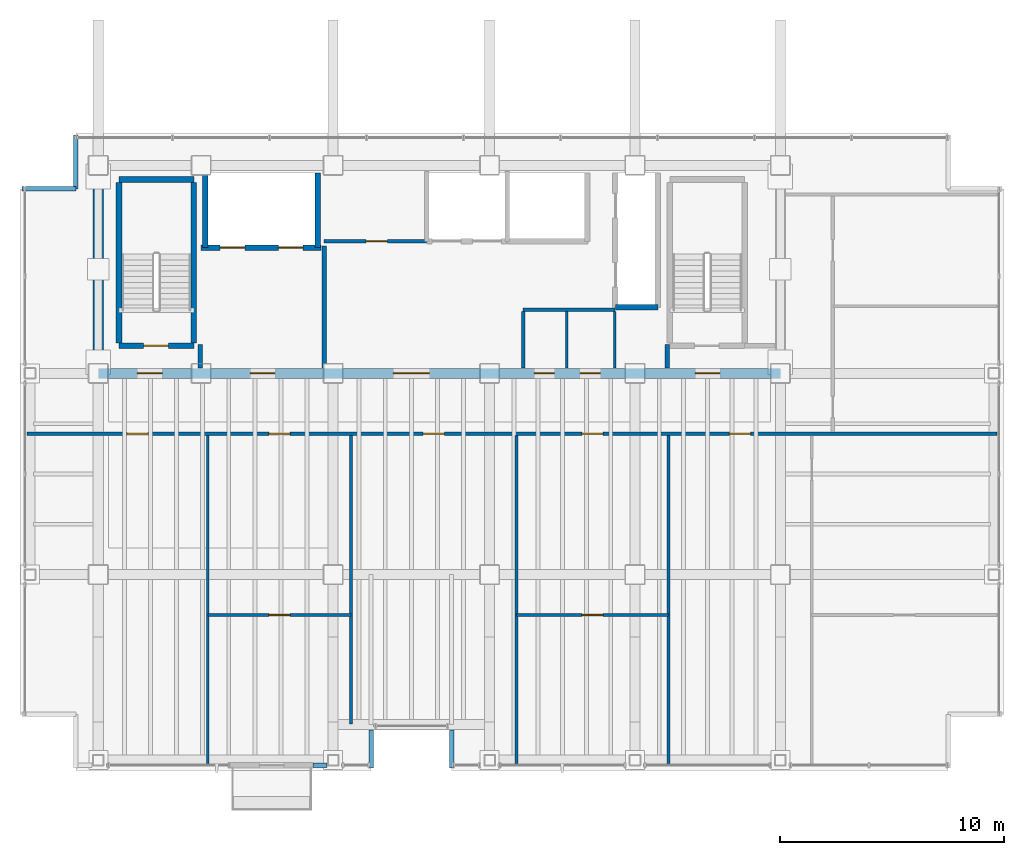
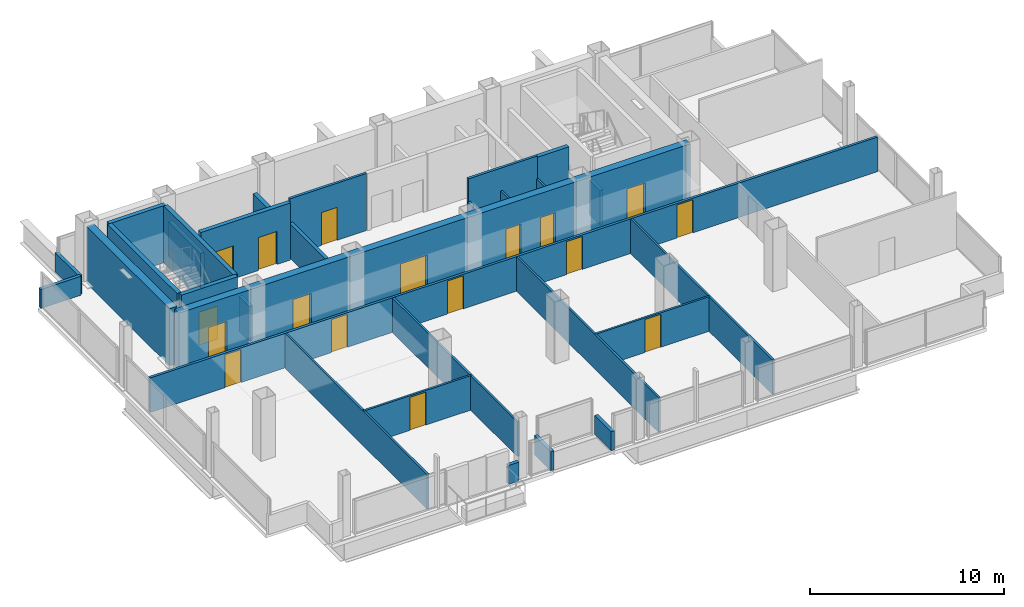
# One storey, part 15 of 17: 30 walls, 17 doors, 17 openings.
"""IFC4 building model written with IfcOpenShell, lengths in metres."""

from ifc_helpers import new_model, si_unit, direction, frame, frame_2d, origin, place, context, subcontext, project, spatial, rectangle, extrude, material, layer, layer_set, type_object, element, fill, save


model = new_model("IFC4")

# Units and contexts
model_context = context("Model", 3, precision=1e-05, world=origin(), true_north=direction((0.0, 1.0)))
body_context = subcontext(model_context, "Body", "Model", "MODEL_VIEW")
ifc_project = project(units=[si_unit("LENGTHUNIT", "METRE"), si_unit("AREAUNIT", "SQUARE_METRE"), si_unit("VOLUMEUNIT", "CUBIC_METRE"), si_unit("PLANEANGLEUNIT", "RADIAN"), si_unit("MASSUNIT", "GRAM", prefix="KILO")], contexts=[model_context])

# Site, building, storey
site_placement = place(None, origin())
site = spatial("IfcSite", under=ifc_project, at=site_placement, CompositionType="ELEMENT")
building_placement = place(site_placement, origin())
building = spatial("IfcBuilding", under=site, at=building_placement, Name="Noeulbin Bourse Tower", CompositionType="ELEMENT")
storey_placement = place(building_placement, frame((0.0, 0.0, 196.800048828125)))
storey = spatial("IfcBuildingStorey", under=building, at=storey_placement, Name="L49", CompositionType="ELEMENT", Elevation=196.800048828125)

# Wall, openings, doors
ifc_material_1 = material(Name="Concrete C50/60", Category="concrete")
ifc_layer_1 = layer(ifc_material_1, 0.449951171875)
ifc_layer_set_1 = layer_set([ifc_layer_1], Name="Concrete C50/60")
wall_type_1 = type_object("IfcWallType", Name="WAL-CORE-450", PredefinedType="SHEAR", material=ifc_layer_set_1)
wall_1_placement = place(storey_placement, frame((13.5, 29.0, 0.0), z_axis=(0.0, 0.0, 1.0), x_axis=(1.0, 0.0, 0.0)))
wall_1 = element("IfcWall", 1, at=wall_1_placement, inside=storey, type_object=wall_type_1, Name="Rear Core South Shear Wall L49", PredefinedType="SHEAR", context=body_context, shape_type="SweptSolid", body=[
    extrude(rectangle(XDim=30.5, YDim=0.449951171875, at=frame_2d((15.25, 0.0))), origin(), (0.0, 0.0, 1.0), 3.599853515625),
])
opening_1_placement = place(wall_1_placement, frame((1.75, 0.0, 0.0)))
opening_1 = element("IfcOpeningElement", 2, at=opening_1_placement, cuts=wall_1, Name="Opening FD-11", PredefinedType="OPENING", context=body_context, shape_type="SweptSolid", body=[
    extrude(rectangle(XDim=1.10009765625, YDim=2.080078125, at=frame_2d((0.550048828125, 1.0400390625))), frame((0.0, 0.23486328125, 0.0), z_axis=(0.0, -1.0, 0.0), x_axis=(1.0, 0.0, 0.0)), (0.0, 0.0, 1.0), 0.469970703125),
])
opening_2_placement = place(wall_1_placement, frame((26.699951171875, 0.0, 0.0)))
opening_2 = element("IfcOpeningElement", 3, at=opening_2_placement, cuts=wall_1, Name="Opening FD-11", PredefinedType="OPENING", context=body_context, shape_type="SweptSolid", body=[
    extrude(rectangle(XDim=1.10009765625, YDim=2.080078125, at=frame_2d((0.550048828125, 1.0400390625))), frame((0.0, 0.23486328125, 0.0), z_axis=(0.0, -1.0, 0.0), x_axis=(1.0, 0.0, 0.0)), (0.0, 0.0, 1.0), 0.469970703125),
])
opening_3_placement = place(wall_1_placement, frame((6.800048828125, 0.0, 0.0)))
opening_3 = element("IfcOpeningElement", 4, at=opening_3_placement, cuts=wall_1, Name="Opening FD-11", PredefinedType="OPENING", context=body_context, shape_type="SweptSolid", body=[
    extrude(rectangle(XDim=1.10009765625, YDim=2.080078125, at=frame_2d((0.550048828125, 1.0400390625))), frame((0.0, 0.23486328125, 0.0), z_axis=(0.0, -1.0, 0.0), x_axis=(1.0, 0.0, 0.0)), (0.0, 0.0, 1.0), 0.469970703125),
])
opening_4_placement = place(wall_1_placement, frame((13.199951171875, 0.0, 0.0)))
opening_4 = element("IfcOpeningElement", 5, at=opening_4_placement, cuts=wall_1, Name="Opening ID-16", PredefinedType="OPENING", context=body_context, shape_type="SweptSolid", body=[
    extrude(rectangle(XDim=1.60009765625, YDim=2.080078125, at=frame_2d((0.800048828125, 1.0400390625))), frame((0.0, 0.23486328125, 0.0), z_axis=(0.0, -1.0, 0.0), x_axis=(1.0, 0.0, 0.0)), (0.0, 0.0, 1.0), 0.469970703125),
])
opening_5_placement = place(wall_1_placement, frame((19.5, 0.0, 0.0)))
opening_5 = element("IfcOpeningElement", 6, at=opening_5_placement, cuts=wall_1, Name="Opening FD-09", PredefinedType="OPENING", context=body_context, shape_type="SweptSolid", body=[
    extrude(rectangle(XDim=0.89990234375, YDim=2.080078125, at=frame_2d((0.449951171875, 1.0400390625))), frame((0.0, 0.23486328125, 0.0), z_axis=(0.0, -1.0, 0.0), x_axis=(1.0, 0.0, 0.0)), (0.0, 0.0, 1.0), 0.469970703125),
])
opening_6_placement = place(wall_1_placement, frame((21.550048828125, 0.0, 0.0)))
opening_6 = element("IfcOpeningElement", 7, at=opening_6_placement, cuts=wall_1, Name="Opening FD-09", PredefinedType="OPENING", context=body_context, shape_type="SweptSolid", body=[
    extrude(rectangle(XDim=0.89990234375, YDim=2.080078125, at=frame_2d((0.449951171875, 1.0400390625))), frame((0.0, 0.23486328125, 0.0), z_axis=(0.0, -1.0, 0.0), x_axis=(1.0, 0.0, 0.0)), (0.0, 0.0, 1.0), 0.469970703125),
])
ifc_material_2 = material(Name="Acoustic Glazed Aluminium", Category="aluminium")
door_type_1 = type_object("IfcDoorType", Name="DR-DBL-1600", OperationType="DOUBLE_DOOR_SINGLE_SWING", PredefinedType="DOOR", material=ifc_material_2)
door_1_placement = place(opening_4_placement, origin())
door_1 = element("IfcDoor", 8, at=door_1_placement, inside=storey, type_object=door_type_1, Name="Passenger Lift Lobby Portal L49", OperationType="DOUBLE_DOOR_SINGLE_SWING", OverallHeight=2.080078125, OverallWidth=1.60009765625, PredefinedType="DOOR", context=body_context, shape_type="SweptSolid", body=[
    extrude(rectangle(XDim=1.60009765625, YDim=2.080078125, at=frame_2d((0.800048828125, 1.0400390625))), frame((0.0, 0.02490234375, 0.0), z_axis=(0.0, -1.0, 0.0), x_axis=(1.0, 0.0, 0.0)), (0.0, 0.0, 1.0), 0.050048828125),
])
fill(opening_4, door_1)
ifc_material_3 = material(Name="Fire-Rated Timber Core", Category="wood")
door_type_2 = type_object("IfcDoorType", Name="DR-FD30-900", OperationType="SINGLE_SWING_RIGHT", PredefinedType="DOOR", material=ifc_material_3)
door_2_placement = place(opening_5_placement, origin())
door_2 = element("IfcDoor", 9, at=door_2_placement, inside=storey, type_object=door_type_2, Name="Interior Door L49-06", OperationType="SINGLE_SWING_RIGHT", OverallHeight=2.080078125, OverallWidth=0.89990234375, PredefinedType="DOOR", context=body_context, shape_type="SweptSolid", body=[
    extrude(rectangle(XDim=0.89990234375, YDim=2.080078125, at=frame_2d((0.449951171875, 1.0400390625))), frame((0.0, 0.02490234375, 0.0), z_axis=(0.0, -1.0, 0.0), x_axis=(1.0, 0.0, 0.0)), (0.0, 0.0, 1.0), 0.050048828125),
])
fill(opening_5, door_2)
door_3_placement = place(opening_6_placement, origin())
door_3 = element("IfcDoor", 10, at=door_3_placement, inside=storey, type_object=door_type_2, Name="Interior Door L49-07", OperationType="SINGLE_SWING_LEFT", OverallHeight=2.080078125, OverallWidth=0.89990234375, PredefinedType="DOOR", context=body_context, shape_type="SweptSolid", body=[
    extrude(rectangle(XDim=0.89990234375, YDim=2.080078125, at=frame_2d((0.449951171875, 1.0400390625))), frame((0.0, 0.02490234375, 0.0), z_axis=(0.0, -1.0, 0.0), x_axis=(1.0, 0.0, 0.0)), (0.0, 0.0, 1.0), 0.050048828125),
])
fill(opening_6, door_3)
ifc_material_4 = material(Name="Fire-Rated Insulated Steel", Category="steel")
door_type_3 = type_object("IfcDoorType", Name="DR-FD60-1100", OperationType="SINGLE_SWING_LEFT", PredefinedType="DOOR", material=ifc_material_4)
door_4_placement = place(opening_1_placement, origin())
door_4 = element("IfcDoor", 11, at=door_4_placement, inside=storey, type_object=door_type_3, Name="West Stair Lobby Door L49", OperationType="SINGLE_SWING_LEFT", OverallHeight=2.080078125, OverallWidth=1.10009765625, PredefinedType="DOOR", context=body_context, shape_type="SweptSolid", body=[
    extrude(rectangle(XDim=1.10009765625, YDim=2.080078125, at=frame_2d((0.550048828125, 1.0400390625))), frame((0.0, 0.02490234375, 0.0), z_axis=(0.0, -1.0, 0.0), x_axis=(1.0, 0.0, 0.0)), (0.0, 0.0, 1.0), 0.050048828125),
])
fill(opening_1, door_4)
door_5_placement = place(opening_2_placement, origin())
door_5 = element("IfcDoor", 12, at=door_5_placement, inside=storey, type_object=door_type_3, Name="East Stair Lobby Door L49", OperationType="SINGLE_SWING_RIGHT", OverallHeight=2.080078125, OverallWidth=1.10009765625, PredefinedType="DOOR", context=body_context, shape_type="SweptSolid", body=[
    extrude(rectangle(XDim=1.10009765625, YDim=2.080078125, at=frame_2d((0.550048828125, 1.0400390625))), frame((0.0, 0.02490234375, 0.0), z_axis=(0.0, -1.0, 0.0), x_axis=(1.0, 0.0, 0.0)), (0.0, 0.0, 1.0), 0.050048828125),
])
fill(opening_2, door_5)
door_6_placement = place(opening_3_placement, origin())
door_6 = element("IfcDoor", 13, at=door_6_placement, inside=storey, type_object=door_type_3, Name="Firefighting Lobby Door L49", OperationType="SINGLE_SWING_LEFT", OverallHeight=2.080078125, OverallWidth=1.10009765625, PredefinedType="DOOR", context=body_context, shape_type="SweptSolid", body=[
    extrude(rectangle(XDim=1.10009765625, YDim=2.080078125, at=frame_2d((0.550048828125, 1.0400390625))), frame((0.0, 0.02490234375, 0.0), z_axis=(0.0, -1.0, 0.0), x_axis=(1.0, 0.0, 0.0)), (0.0, 0.0, 1.0), 0.050048828125),
])
fill(opening_3, door_6)

# Walls
wall_2_placement = place(storey_placement, frame((13.5, 29.35009765625, 0.0), z_axis=(0.0, 0.0, 1.0), x_axis=(0.0, 1.0, 0.0)))
element("IfcWall", 14, at=wall_2_placement, inside=storey, type_object=wall_type_1, Name="Rear Core West Shear Wall L49", PredefinedType="SHEAR", context=body_context, shape_type="SweptSolid", body=[
    extrude(rectangle(XDim=8.599853515625, YDim=0.449951171875, at=frame_2d((4.2998046875, 0.0))), origin(), (0.0, 0.0, 1.0), 3.599853515625),
])
ifc_material_5 = material(Name="Concrete C40/50", Category="concrete")
ifc_layer_2 = layer(ifc_material_5, 0.199951171875)
ifc_layer_set_2 = layer_set([ifc_layer_2], Name="Concrete C40/50")
wall_type_2 = type_object("IfcWallType", Name="WAL-FIRE-200", PredefinedType="STANDARD", material=ifc_layer_set_2)
for number, where, z_axis, x_axis, name in (
    (15, (18.050048828125, 29.235107421875, 0.0), (0.0, 0.0, 1.0), (0.0, 1.0, 0.0), "Interior Partition Wall L49-10"),
    (16, (38.949951171875, 29.235107421875, 0.0), (0.0, 0.0, 1.0), (0.0, 1.0, 0.0), "Interior Partition Wall L49-11"),
):
    element("IfcWall", number, at=place(storey_placement, frame(where, z_axis=z_axis, x_axis=x_axis)), inside=storey, type_object=wall_type_2, Name=name, PredefinedType="STANDARD", context=body_context, shape_type="SweptSolid", body=[
        extrude(rectangle(XDim=1.06494140625, YDim=0.199951171875, at=frame_2d((0.532470703125, 0.0))), origin(), (0.0, 0.0, 1.0), 2.179931640625),
    ])
wall_3_placement = place(storey_placement, frame((23.60009765625, 29.235107421875, 0.0), z_axis=(0.0, 0.0, 1.0), x_axis=(0.0, 1.0, 0.0)))
element("IfcWall", 17, at=wall_3_placement, inside=storey, type_object=wall_type_2, Name="Interior Partition Wall L49-12", PredefinedType="STANDARD", context=body_context, shape_type="SweptSolid", body=[
    extrude(rectangle(XDim=5.46484375, YDim=0.199951171875, at=frame_2d((2.732421875, 0.0))), origin(), (0.0, 0.0, 1.0), 2.179931640625),
])
ifc_layer_3 = layer(ifc_material_5, 0.199951171875)
ifc_layer_set_3 = layer_set([ifc_layer_3], Name="Concrete C40/50")
wall_type_3 = type_object("IfcWallType", Name="WAL-PAR-200", PredefinedType="PARAPET", material=ifc_layer_set_3)
wall_4_placement = place(storey_placement, frame((23.10009765625, 11.469970703125, 0.0), z_axis=(0.0, 0.0, 1.0), x_axis=(1.0, 0.0, 0.0)))
element("IfcWall", 18, at=wall_4_placement, inside=storey, type_object=wall_type_3, Name="Perimeter Pier Spandrel Parapet L49-S2", PredefinedType="PARAPET", context=body_context, shape_type="SweptSolid", body=[
    extrude(rectangle(XDim=0.6298828125, YDim=0.199951171875, at=frame_2d((0.31494140625, 0.0))), origin(), (0.0, 0.0, 1.0), 1.199951171875),
])
for number, where, z_axis, x_axis, name in (
    (19, (10.10009765625, 37.25, 0.0), (0.0, 0.0, 1.0), (1.0, 0.0, 0.0), "Corner Notch Parapet L49-NW1"),
    (20, (12.5, 37.25, 0.0), (0.0, 0.0, 1.0), (0.0, 1.0, 0.0), "Corner Notch Parapet L49-NW2"),
):
    element("IfcWall", number, at=place(storey_placement, frame(where, z_axis=z_axis, x_axis=x_axis)), inside=storey, type_object=wall_type_3, Name=name, PredefinedType="PARAPET", context=body_context, shape_type="SweptSolid", body=[
        extrude(rectangle(XDim=2.39990234375, YDim=0.199951171875, at=frame_2d((1.199951171875, 0.0))), origin(), (0.0, 0.0, 1.0), 1.199951171875),
    ])
for number, where, z_axis, x_axis, name in (
    (21, (25.699951171875, 11.35009765625, 0.0), (0.0, 0.0, 1.0), (0.0, 1.0, 0.0), "Sky-Garden Recess Parapet L49-W"),
    (22, (29.300048828125, 13.050048828125, 0.0), (0.0, 0.0, 1.0), (0.0, -1.0, 0.0), "Sky-Garden Recess Parapet L49-E"),
):
    element("IfcWall", number, at=place(storey_placement, frame(where, z_axis=z_axis, x_axis=x_axis)), inside=storey, type_object=wall_type_3, Name=name, PredefinedType="PARAPET", context=body_context, shape_type="SweptSolid", body=[
        extrude(rectangle(XDim=1.699951171875, YDim=0.199951171875, at=frame_2d((0.85009765625, 0.0))), origin(), (0.0, 0.0, 1.0), 1.199951171875),
    ])

# Wall, opening, door
ifc_material_6 = material(Name="Steel Stud Gypsum Partition", Category="steel")
ifc_layer_4 = layer(ifc_material_6, 0.1201171875)
ifc_layer_set_4 = layer_set([ifc_layer_4], Name="Steel Stud Gypsum Partition")
wall_type_4 = type_object("IfcWallType", Name="WAL-PRT-120", PredefinedType="PARTITIONING", material=ifc_layer_set_4)
wall_5_placement = place(storey_placement, frame((18.39990234375, 18.193115234375, 0.0), z_axis=(0.0, 0.0, 1.0), x_axis=(1.0, 0.0, 0.0)))
wall_5 = element("IfcWall", 23, at=wall_5_placement, inside=storey, type_object=wall_type_4, Name="Interior Partition Wall L49-06", PredefinedType="PARTITIONING", context=body_context, shape_type="SweptSolid", body=[
    extrude(rectangle(XDim=6.400146484375, YDim=0.1201171875, at=frame_2d((3.2001953125, 0.0))), origin(), (0.0, 0.0, 1.0), 2.179931640625),
])
opening_7_placement = place(wall_5_placement, frame((2.72509765625, 0.0, 0.0)))
opening_7 = element("IfcOpeningElement", 24, at=opening_7_placement, cuts=wall_5, Name="Opening ID-09", PredefinedType="OPENING", context=body_context, shape_type="SweptSolid", body=[
    extrude(rectangle(XDim=0.949951171875, YDim=2.080078125, at=frame_2d((0.47509765625, 1.0400390625))), frame((0.0, 0.070068359375, 0.0), z_axis=(0.0, -1.0, 0.0), x_axis=(1.0, 0.0, 0.0)), (0.0, 0.0, 1.0), 0.14013671875),
])
ifc_material_7 = material(Name="Acoustic Solid-Core Timber", Category="wood")
door_type_4 = type_object("IfcDoorType", Name="DR-SINGLE-950", OperationType="SINGLE_SWING_LEFT", PredefinedType="DOOR", material=ifc_material_7)
door_7_placement = place(opening_7_placement, origin())
door_7 = element("IfcDoor", 25, at=door_7_placement, inside=storey, type_object=door_type_4, Name="Interior Door L49-09", OperationType="SINGLE_SWING_LEFT", OverallHeight=2.080078125, OverallWidth=0.949951171875, PredefinedType="DOOR", context=body_context, shape_type="SweptSolid", body=[
    extrude(rectangle(XDim=0.949951171875, YDim=2.080078125, at=frame_2d((0.47509765625, 1.0400390625))), frame((0.0, 0.02490234375, 0.0), z_axis=(0.0, -1.0, 0.0), x_axis=(1.0, 0.0, 0.0)), (0.0, 0.0, 1.0), 0.050048828125),
])
fill(opening_7, door_7)

wall_6_placement = place(storey_placement, frame((32.199951171875, 18.193115234375, 0.0), z_axis=(0.0, 0.0, 1.0), x_axis=(1.0, 0.0, 0.0)))
wall_6 = element("IfcWall", 26, at=wall_6_placement, inside=storey, type_object=wall_type_4, Name="Interior Partition Wall L49-07", PredefinedType="PARTITIONING", context=body_context, shape_type="SweptSolid", body=[
    extrude(rectangle(XDim=6.800048828125, YDim=0.1201171875, at=frame_2d((3.39990234375, 0.0))), origin(), (0.0, 0.0, 1.0), 2.179931640625),
])
opening_8_placement = place(wall_6_placement, frame((2.925048828125, 0.0, 0.0)))
opening_8 = element("IfcOpeningElement", 27, at=opening_8_placement, cuts=wall_6, Name="Opening ID-09", PredefinedType="OPENING", context=body_context, shape_type="SweptSolid", body=[
    extrude(rectangle(XDim=0.949951171875, YDim=2.080078125, at=frame_2d((0.47509765625, 1.0400390625))), frame((0.0, 0.070068359375, 0.0), z_axis=(0.0, -1.0, 0.0), x_axis=(1.0, 0.0, 0.0)), (0.0, 0.0, 1.0), 0.14013671875),
])
door_8_placement = place(opening_8_placement, origin())
door_8 = element("IfcDoor", 28, at=door_8_placement, inside=storey, type_object=door_type_4, Name="Interior Door L49-12", OperationType="SINGLE_SWING_RIGHT", OverallHeight=2.080078125, OverallWidth=0.949951171875, PredefinedType="DOOR", context=body_context, shape_type="SweptSolid", body=[
    extrude(rectangle(XDim=0.949951171875, YDim=2.080078125, at=frame_2d((0.47509765625, 1.0400390625))), frame((0.0, 0.02490234375, 0.0), z_axis=(0.0, -1.0, 0.0), x_axis=(1.0, 0.0, 0.0)), (0.0, 0.0, 1.0), 0.050048828125),
])
fill(opening_8, door_8)

# Walls
for number, where, z_axis, x_axis, name in (
    (29, (36.60009765625, 29.235107421875, 0.0), (0.0, 0.0, 1.0), (0.0, 1.0, 0.0), "Interior Partition Wall L49-14"),
    (30, (34.449951171875, 29.235107421875, 0.0), (0.0, 0.0, 1.0), (0.0, 1.0, 0.0), "Interior Partition Wall L49-15"),
):
    element("IfcWall", number, at=place(storey_placement, frame(where, z_axis=z_axis, x_axis=x_axis)), inside=storey, type_object=wall_type_4, Name=name, PredefinedType="PARTITIONING", context=body_context, shape_type="SweptSolid", body=[
        extrude(rectangle(XDim=2.52978515625, YDim=0.1201171875, at=frame_2d((1.264892578125, 0.0))), origin(), (0.0, 0.0, 1.0), 2.179931640625),
    ])
wall_7_placement = place(storey_placement, frame((18.39990234375, 11.56005859375, 0.0), z_axis=(0.0, 0.0, 1.0), x_axis=(0.0, 1.0, 0.0)))
element("IfcWall", 31, at=wall_7_placement, inside=storey, type_object=wall_type_4, Name="Interior Partition Wall L49-17", PredefinedType="PARTITIONING", context=body_context, shape_type="SweptSolid", body=[
    extrude(rectangle(XDim=14.655029296875, YDim=0.1201171875, at=frame_2d((7.32763671875, 0.0))), origin(), (0.0, 0.0, 1.0), 2.179931640625),
])
wall_8_placement = place(storey_placement, frame((24.800048828125, 13.320068359375, 0.0), z_axis=(0.0, 0.0, 1.0), x_axis=(0.0, 1.0, 0.0)))
element("IfcWall", 32, at=wall_8_placement, inside=storey, type_object=wall_type_4, Name="Interior Partition Wall L49-18", PredefinedType="PARTITIONING", context=body_context, shape_type="SweptSolid", body=[
    extrude(rectangle(XDim=12.89501953125, YDim=0.1201171875, at=frame_2d((6.447509765625, 0.0))), origin(), (0.0, 0.0, 1.0), 2.179931640625),
])
for number, where, z_axis, x_axis, name in (
    (33, (32.199951171875, 11.56005859375, 0.0), (0.0, 0.0, 1.0), (0.0, 1.0, 0.0), "Interior Partition Wall L49-19"),
    (34, (39.0, 11.56005859375, 0.0), (0.0, 0.0, 1.0), (0.0, 1.0, 0.0), "Interior Partition Wall L49-20"),
):
    element("IfcWall", number, at=place(storey_placement, frame(where, z_axis=z_axis, x_axis=x_axis)), inside=storey, type_object=wall_type_4, Name=name, PredefinedType="PARTITIONING", context=body_context, shape_type="SweptSolid", body=[
        extrude(rectangle(XDim=14.655029296875, YDim=0.1201171875, at=frame_2d((7.32763671875, 0.0))), origin(), (0.0, 0.0, 1.0), 2.179931640625),
    ])

# Wall, opening, door
ifc_material_8 = material(Name="Steel Stud Acoustic Gypsum Board", Category="steel")
ifc_layer_5 = layer(ifc_material_8, 0.14990234375)
ifc_layer_set_5 = layer_set([ifc_layer_5], Name="Steel Stud Acoustic Gypsum Board")
wall_type_5 = type_object("IfcWallType", Name="WAL-PRT-150", PredefinedType="PARTITIONING", material=ifc_layer_set_5)
wall_9_placement = place(storey_placement, frame((23.60009765625, 34.89990234375, 0.0), z_axis=(0.0, 0.0, 1.0), x_axis=(1.0, 0.0, 0.0)))
wall_9 = element("IfcWall", 35, at=wall_9_placement, inside=storey, type_object=wall_type_5, Name="Interior Partition Wall L49-02", PredefinedType="PARTITIONING", context=body_context, shape_type="SweptSolid", body=[
    extrude(rectangle(XDim=4.579833984375, YDim=0.14990234375, at=frame_2d((2.2900390625, 0.0))), origin(), (0.0, 0.0, 1.0), 3.599853515625),
])
opening_9_placement = place(wall_9_placement, frame((1.875, 0.0, 0.0)))
opening_9 = element("IfcOpeningElement", 36, at=opening_9_placement, cuts=wall_9, Name="Opening ID-09", PredefinedType="OPENING", context=body_context, shape_type="SweptSolid", body=[
    extrude(rectangle(XDim=0.949951171875, YDim=2.080078125, at=frame_2d((0.47509765625, 1.0400390625))), frame((0.0, 0.0849609375, 0.0), z_axis=(0.0, -1.0, 0.0), x_axis=(1.0, 0.0, 0.0)), (0.0, 0.0, 1.0), 0.169921875),
])
door_9_placement = place(opening_9_placement, origin())
door_9 = element("IfcDoor", 37, at=door_9_placement, inside=storey, type_object=door_type_4, Name="Archive Room Door L49", OperationType="SINGLE_SWING_LEFT", OverallHeight=2.080078125, OverallWidth=0.949951171875, PredefinedType="DOOR", context=body_context, shape_type="SweptSolid", body=[
    extrude(rectangle(XDim=0.949951171875, YDim=2.080078125, at=frame_2d((0.47509765625, 1.0400390625))), frame((0.0, 0.02490234375, 0.0), z_axis=(0.0, -1.0, 0.0), x_axis=(1.0, 0.0, 0.0)), (0.0, 0.0, 1.0), 0.050048828125),
])
fill(opening_9, door_9)

# Wall
wall_10_placement = place(storey_placement, frame((32.5, 31.85009765625, 0.0), z_axis=(0.0, 0.0, 1.0), x_axis=(1.0, 0.0, 0.0)))
element("IfcWall", 38, at=wall_10_placement, inside=storey, type_object=wall_type_5, Name="Interior Partition Wall L49-03", PredefinedType="PARTITIONING", context=body_context, shape_type="SweptSolid", body=[
    extrude(rectangle(XDim=4.10009765625, YDim=0.14990234375, at=frame_2d((2.050048828125, 0.0))), origin(), (0.0, 0.0, 1.0), 3.599853515625),
])

# Wall, openings, doors
wall_11_placement = place(storey_placement, frame((10.31005859375, 26.300048828125, 0.0), z_axis=(0.0, 0.0, 1.0), x_axis=(1.0, 0.0, 0.0)))
wall_11 = element("IfcWall", 39, at=wall_11_placement, inside=storey, type_object=wall_type_5, Name="Interior Partition Wall L49-04", PredefinedType="PARTITIONING", context=body_context, shape_type="SweptSolid", body=[
    extrude(rectangle(XDim=43.3798828125, YDim=0.14990234375, at=frame_2d((21.68994140625, 0.0))), origin(), (0.0, 0.0, 1.0), 2.179931640625),
])
opening_10_placement = place(wall_11_placement, frame((4.469970703125, 0.0, 0.0)))
opening_10 = element("IfcOpeningElement", 40, at=opening_10_placement, cuts=wall_11, Name="Opening ID-09", PredefinedType="OPENING", context=body_context, shape_type="SweptSolid", body=[
    extrude(rectangle(XDim=0.949951171875, YDim=2.080078125, at=frame_2d((0.47509765625, 1.0400390625))), frame((0.0, 0.0849609375, 0.0), z_axis=(0.0, -1.0, 0.0), x_axis=(1.0, 0.0, 0.0)), (0.0, 0.0, 1.0), 0.169921875),
])
opening_11_placement = place(wall_11_placement, frame((10.81494140625, 0.0, 0.0)))
opening_11 = element("IfcOpeningElement", 41, at=opening_11_placement, cuts=wall_11, Name="Opening ID-09", PredefinedType="OPENING", context=body_context, shape_type="SweptSolid", body=[
    extrude(rectangle(XDim=0.949951171875, YDim=2.080078125, at=frame_2d((0.47509765625, 1.0400390625))), frame((0.0, 0.0849609375, 0.0), z_axis=(0.0, -1.0, 0.0), x_axis=(1.0, 0.0, 0.0)), (0.0, 0.0, 1.0), 0.169921875),
])
opening_12_placement = place(wall_11_placement, frame((17.715087890625, 0.0, 0.0)))
opening_12 = element("IfcOpeningElement", 42, at=opening_12_placement, cuts=wall_11, Name="Opening ID-09", PredefinedType="OPENING", context=body_context, shape_type="SweptSolid", body=[
    extrude(rectangle(XDim=0.949951171875, YDim=2.080078125, at=frame_2d((0.47509765625, 1.0400390625))), frame((0.0, 0.0849609375, 0.0), z_axis=(0.0, -1.0, 0.0), x_axis=(1.0, 0.0, 0.0)), (0.0, 0.0, 1.0), 0.169921875),
])
opening_13_placement = place(wall_11_placement, frame((24.81494140625, 0.0, 0.0)))
opening_13 = element("IfcOpeningElement", 43, at=opening_13_placement, cuts=wall_11, Name="Opening ID-09", PredefinedType="OPENING", context=body_context, shape_type="SweptSolid", body=[
    extrude(rectangle(XDim=0.949951171875, YDim=2.080078125, at=frame_2d((0.47509765625, 1.0400390625))), frame((0.0, 0.0849609375, 0.0), z_axis=(0.0, -1.0, 0.0), x_axis=(1.0, 0.0, 0.0)), (0.0, 0.0, 1.0), 0.169921875),
])
opening_14_placement = place(wall_11_placement, frame((31.4150390625, 0.0, 0.0)))
opening_14 = element("IfcOpeningElement", 44, at=opening_14_placement, cuts=wall_11, Name="Opening ID-09", PredefinedType="OPENING", context=body_context, shape_type="SweptSolid", body=[
    extrude(rectangle(XDim=0.949951171875, YDim=2.080078125, at=frame_2d((0.47509765625, 1.0400390625))), frame((0.0, 0.0849609375, 0.0), z_axis=(0.0, -1.0, 0.0), x_axis=(1.0, 0.0, 0.0)), (0.0, 0.0, 1.0), 0.169921875),
])
door_10_placement = place(opening_10_placement, origin())
door_10 = element("IfcDoor", 45, at=door_10_placement, inside=storey, type_object=door_type_4, Name="Interior Door L49-08", OperationType="SINGLE_SWING_RIGHT", OverallHeight=2.080078125, OverallWidth=0.949951171875, PredefinedType="DOOR", context=body_context, shape_type="SweptSolid", body=[
    extrude(rectangle(XDim=0.949951171875, YDim=2.080078125, at=frame_2d((0.47509765625, 1.0400390625))), frame((0.0, 0.02490234375, 0.0), z_axis=(0.0, -1.0, 0.0), x_axis=(1.0, 0.0, 0.0)), (0.0, 0.0, 1.0), 0.050048828125),
])
fill(opening_10, door_10)
door_11_placement = place(opening_11_placement, origin())
door_11 = element("IfcDoor", 46, at=door_11_placement, inside=storey, type_object=door_type_4, Name="Interior Door L49-10", OperationType="SINGLE_SWING_RIGHT", OverallHeight=2.080078125, OverallWidth=0.949951171875, PredefinedType="DOOR", context=body_context, shape_type="SweptSolid", body=[
    extrude(rectangle(XDim=0.949951171875, YDim=2.080078125, at=frame_2d((0.47509765625, 1.0400390625))), frame((0.0, 0.02490234375, 0.0), z_axis=(0.0, -1.0, 0.0), x_axis=(1.0, 0.0, 0.0)), (0.0, 0.0, 1.0), 0.050048828125),
])
fill(opening_11, door_11)
door_12_placement = place(opening_12_placement, origin())
door_12 = element("IfcDoor", 47, at=door_12_placement, inside=storey, type_object=door_type_4, Name="Interior Door L49-11", OperationType="SINGLE_SWING_LEFT", OverallHeight=2.080078125, OverallWidth=0.949951171875, PredefinedType="DOOR", context=body_context, shape_type="SweptSolid", body=[
    extrude(rectangle(XDim=0.949951171875, YDim=2.080078125, at=frame_2d((0.47509765625, 1.0400390625))), frame((0.0, 0.02490234375, 0.0), z_axis=(0.0, -1.0, 0.0), x_axis=(1.0, 0.0, 0.0)), (0.0, 0.0, 1.0), 0.050048828125),
])
fill(opening_12, door_12)
door_13_placement = place(opening_13_placement, origin())
door_13 = element("IfcDoor", 48, at=door_13_placement, inside=storey, type_object=door_type_4, Name="Interior Door L49-13", OperationType="SINGLE_SWING_LEFT", OverallHeight=2.080078125, OverallWidth=0.949951171875, PredefinedType="DOOR", context=body_context, shape_type="SweptSolid", body=[
    extrude(rectangle(XDim=0.949951171875, YDim=2.080078125, at=frame_2d((0.47509765625, 1.0400390625))), frame((0.0, 0.02490234375, 0.0), z_axis=(0.0, -1.0, 0.0), x_axis=(1.0, 0.0, 0.0)), (0.0, 0.0, 1.0), 0.050048828125),
])
fill(opening_13, door_13)
door_14_placement = place(opening_14_placement, origin())
door_14 = element("IfcDoor", 49, at=door_14_placement, inside=storey, type_object=door_type_4, Name="Interior Door L49-14", OperationType="SINGLE_SWING_RIGHT", OverallHeight=2.080078125, OverallWidth=0.949951171875, PredefinedType="DOOR", context=body_context, shape_type="SweptSolid", body=[
    extrude(rectangle(XDim=0.949951171875, YDim=2.080078125, at=frame_2d((0.47509765625, 1.0400390625))), frame((0.0, 0.02490234375, 0.0), z_axis=(0.0, -1.0, 0.0), x_axis=(1.0, 0.0, 0.0)), (0.0, 0.0, 1.0), 0.050048828125),
])
fill(opening_14, door_14)

# Wall
wall_12_placement = place(storey_placement, frame((32.5, 29.235107421875, 0.0), z_axis=(0.0, 0.0, 1.0), x_axis=(0.0, 1.0, 0.0)))
element("IfcWall", 50, at=wall_12_placement, inside=storey, type_object=wall_type_5, Name="Interior Partition Wall L49-13", PredefinedType="PARTITIONING", context=body_context, shape_type="SweptSolid", body=[
    extrude(rectangle(XDim=2.52978515625, YDim=0.14990234375, at=frame_2d((1.264892578125, 0.0))), origin(), (0.0, 0.0, 1.0), 2.179931640625),
])

# Wall, opening, door
ifc_layer_6 = layer(ifc_material_5, 0.25)
ifc_layer_set_6 = layer_set([ifc_layer_6], Name="Concrete C40/50")
wall_type_6 = type_object("IfcWallType", Name="WAL-SHFT-250", PredefinedType="STANDARD", material=ifc_layer_set_6)
wall_13_placement = place(storey_placement, frame((14.429931640625, 30.235107421875, 0.0), z_axis=(0.0, 0.0, 1.0), x_axis=(1.0, 0.0, 0.0)))
wall_13 = element("IfcWall", 51, at=wall_13_placement, inside=storey, type_object=wall_type_6, Name="Stair ST-1 South Shaft Wall L49", PredefinedType="STANDARD", context=body_context, shape_type="SweptSolid", body=[
    extrude(rectangle(XDim=3.340087890625, YDim=0.25, at=frame_2d((1.669921875, 0.0))), origin(), (0.0, 0.0, 1.0), 3.599853515625),
])
opening_15_placement = place(wall_13_placement, frame((1.10009765625, 0.0, 0.0)))
opening_15 = element("IfcOpeningElement", 52, at=opening_15_placement, cuts=wall_13, Name="Opening FD-11", PredefinedType="OPENING", context=body_context, shape_type="SweptSolid", body=[
    extrude(rectangle(XDim=1.10009765625, YDim=2.080078125, at=frame_2d((0.550048828125, 1.0400390625))), frame((0.0, 0.135009765625, 0.0), z_axis=(0.0, -1.0, 0.0), x_axis=(1.0, 0.0, 0.0)), (0.0, 0.0, 1.0), 0.27001953125),
])
door_15_placement = place(opening_15_placement, origin())
door_15 = element("IfcDoor", 53, at=door_15_placement, inside=storey, type_object=door_type_3, Name="Protected Stair Entry Door ST1-L49", OperationType="SINGLE_SWING_LEFT", OverallHeight=2.080078125, OverallWidth=1.10009765625, PredefinedType="DOOR", context=body_context, shape_type="SweptSolid", body=[
    extrude(rectangle(XDim=1.10009765625, YDim=2.080078125, at=frame_2d((0.550048828125, 1.0400390625))), frame((0.0, 0.02490234375, 0.0), z_axis=(0.0, -1.0, 0.0), x_axis=(1.0, 0.0, 0.0)), (0.0, 0.0, 1.0), 0.050048828125),
])
fill(opening_15, door_15)

# Walls
wall_14_placement = place(storey_placement, frame((14.429931640625, 37.6689453125, 0.0), z_axis=(0.0, 0.0, 1.0), x_axis=(1.0, 0.0, 0.0)))
element("IfcWall", 54, at=wall_14_placement, inside=storey, type_object=wall_type_6, Name="Stair ST-1 North Shaft Wall L49", PredefinedType="STANDARD", context=body_context, shape_type="SweptSolid", body=[
    extrude(rectangle(XDim=3.340087890625, YDim=0.25, at=frame_2d((1.669921875, 0.0))), origin(), (0.0, 0.0, 1.0), 3.599853515625),
])
for number, where, z_axis, x_axis, name in (
    (55, (14.425048828125, 30.360107421875, 0.0), (0.0, 0.0, 1.0), (0.0, 1.0, 0.0), "Stair ST-1 West Shaft Wall L49"),
    (56, (17.77490234375, 30.360107421875, 0.0), (0.0, 0.0, 1.0), (0.0, 1.0, 0.0), "Stair ST-1 East Shaft Wall L49"),
):
    element("IfcWall", number, at=place(storey_placement, frame(where, z_axis=z_axis, x_axis=x_axis)), inside=storey, type_object=wall_type_6, Name=name, PredefinedType="STANDARD", context=body_context, shape_type="SweptSolid", body=[
        extrude(rectangle(XDim=7.183837890625, YDim=0.25, at=frame_2d((3.591796875, 0.0))), origin(), (0.0, 0.0, 1.0), 3.599853515625),
    ])

# Wall, openings, doors
wall_15_placement = place(storey_placement, frame((18.10009765625, 34.6201171875, 0.0), z_axis=(0.0, 0.0, 1.0), x_axis=(1.0, 0.0, 0.0)))
wall_15 = element("IfcWall", 57, at=wall_15_placement, inside=storey, type_object=wall_type_6, Name="Firefighting Lift Shaft Front L49", PredefinedType="STANDARD", context=body_context, shape_type="SweptSolid", body=[
    extrude(rectangle(XDim=5.349853515625, YDim=0.25, at=frame_2d((2.6748046875, 0.0))), origin(), (0.0, 0.0, 1.0), 3.599853515625),
])
opening_16_placement = place(wall_15_placement, frame((0.85009765625, 0.0, 0.0)))
opening_16 = element("IfcOpeningElement", 58, at=opening_16_placement, cuts=wall_15, Name="Opening LD-11", PredefinedType="OPENING", context=body_context, shape_type="SweptSolid", body=[
    extrude(rectangle(XDim=1.10009765625, YDim=2.080078125, at=frame_2d((0.550048828125, 1.0400390625))), frame((0.0, 0.135009765625, 0.0), z_axis=(0.0, -1.0, 0.0), x_axis=(1.0, 0.0, 0.0)), (0.0, 0.0, 1.0), 0.27001953125),
])
opening_17_placement = place(wall_15_placement, frame((3.449951171875, 0.0, 0.0)))
opening_17 = element("IfcOpeningElement", 59, at=opening_17_placement, cuts=wall_15, Name="Opening LD-11", PredefinedType="OPENING", context=body_context, shape_type="SweptSolid", body=[
    extrude(rectangle(XDim=1.10009765625, YDim=2.080078125, at=frame_2d((0.550048828125, 1.0400390625))), frame((0.0, 0.135009765625, 0.0), z_axis=(0.0, -1.0, 0.0), x_axis=(1.0, 0.0, 0.0)), (0.0, 0.0, 1.0), 0.27001953125),
])
ifc_material_9 = material(Name="Brushed Stainless Steel 316", Category="steel")
door_type_5 = type_object("IfcDoorType", Name="DR-LIFT-1100", OperationType="SLIDING_TO_LEFT", PredefinedType="DOOR", material=ifc_material_9)
door_16_placement = place(opening_16_placement, origin())
door_16 = element("IfcDoor", 60, at=door_16_placement, inside=storey, type_object=door_type_5, Name="Lift Landing Door LD-FL-01-L49", OperationType="SLIDING_TO_LEFT", OverallHeight=2.080078125, OverallWidth=1.10009765625, PredefinedType="DOOR", context=body_context, shape_type="SweptSolid", body=[
    extrude(rectangle(XDim=1.10009765625, YDim=2.080078125, at=frame_2d((0.550048828125, 1.0400390625))), frame((0.0, 0.02490234375, 0.0), z_axis=(0.0, -1.0, 0.0), x_axis=(1.0, 0.0, 0.0)), (0.0, 0.0, 1.0), 0.050048828125),
])
fill(opening_16, door_16)
door_17_placement = place(opening_17_placement, origin())
door_17 = element("IfcDoor", 61, at=door_17_placement, inside=storey, type_object=door_type_5, Name="Lift Landing Door LD-FL-02-L49", OperationType="SLIDING_TO_LEFT", OverallHeight=2.080078125, OverallWidth=1.10009765625, PredefinedType="DOOR", context=body_context, shape_type="SweptSolid", body=[
    extrude(rectangle(XDim=1.10009765625, YDim=2.080078125, at=frame_2d((0.550048828125, 1.0400390625))), frame((0.0, 0.02490234375, 0.0), z_axis=(0.0, -1.0, 0.0), x_axis=(1.0, 0.0, 0.0)), (0.0, 0.0, 1.0), 0.050048828125),
])
fill(opening_17, door_17)

# Walls
wall_16_placement = place(storey_placement, frame((36.6201171875, 31.949951171875, 0.0), z_axis=(0.0, 0.0, 1.0), x_axis=(1.0, 0.0, 0.0)))
element("IfcWall", 62, at=wall_16_placement, inside=storey, type_object=wall_type_6, Name="Service Lift South Shaft Wall L49", PredefinedType="STANDARD", context=body_context, shape_type="SweptSolid", body=[
    extrude(rectangle(XDim=1.89990234375, YDim=0.25, at=frame_2d((0.949951171875, 0.0))), origin(), (0.0, 0.0, 1.0), 3.47998046875),
])
for number, where, z_axis, x_axis, name in (
    (63, (18.280029296875, 34.6201171875, 0.0), (0.0, 0.0, 1.0), (0.0, 1.0, 0.0), "Firefighting Lift West Shaft Wall L49"),
    (64, (23.320068359375, 34.6201171875, 0.0), (0.0, 0.0, 1.0), (0.0, 1.0, 0.0), "Firefighting Lift East Shaft Wall L49"),
):
    element("IfcWall", number, at=place(storey_placement, frame(where, z_axis=z_axis, x_axis=x_axis)), inside=storey, type_object=wall_type_6, Name=name, PredefinedType="STANDARD", context=body_context, shape_type="SweptSolid", body=[
        extrude(rectangle(XDim=3.329833984375, YDim=0.25, at=frame_2d((1.6650390625, 0.0))), origin(), (0.0, 0.0, 1.0), 2.179931640625),
    ])

save(model, "model.ifc")
